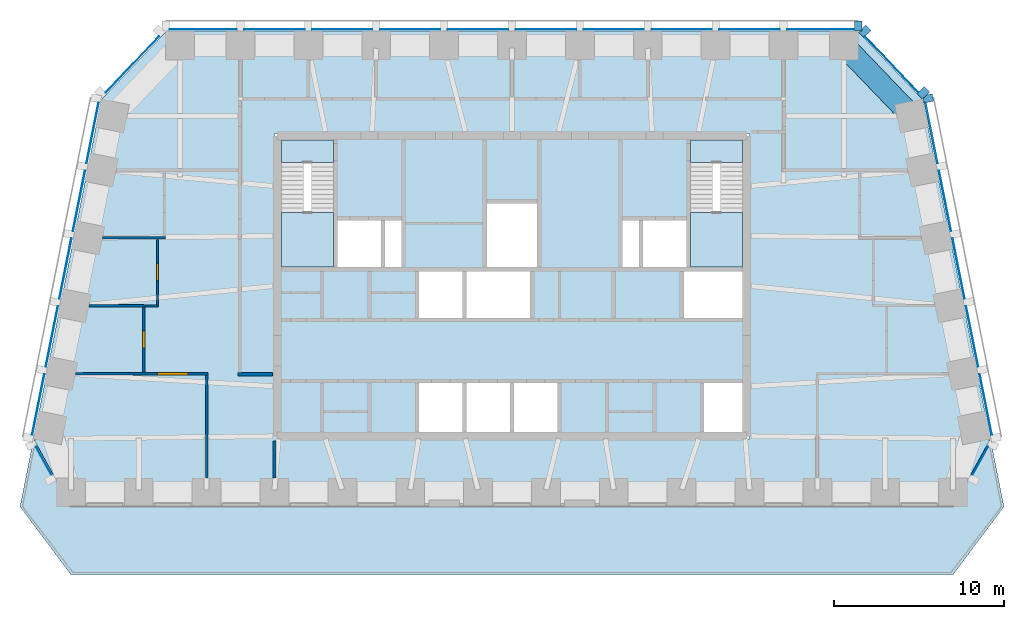
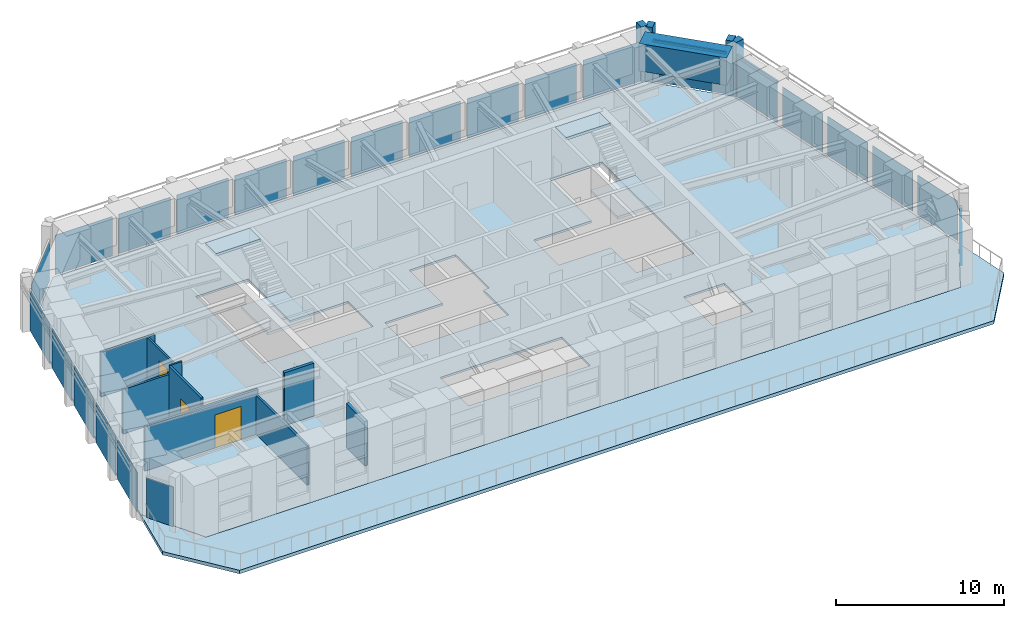
# One storey, part 3 of 9: 24 plates, 9 walls, 6 members, 6 slabs, 3 doors, 1 beam, 3 openings, 9 elements without a shape of their own.
"""IFC4 building model written with IfcOpenShell, lengths in metres."""

from ifc_helpers import new_model, si_unit, direction, frame, frame_2d, origin, origin_2d, place, context, subcontext, project, spatial, polyline, rectangle, outline, extrude, material, layer, layer_set, material_profile, profile_set, type_object, element, fill, aggregate, save


model = new_model("IFC4")

# Units and contexts
model_context = context("Model", 3, precision=1e-05, world=origin(), true_north=direction((0.0, 1.0)))
body_context = subcontext(model_context, "Body", "Model", "MODEL_VIEW")
ifc_project = project(units=[si_unit("LENGTHUNIT", "METRE"), si_unit("AREAUNIT", "SQUARE_METRE"), si_unit("VOLUMEUNIT", "CUBIC_METRE"), si_unit("PLANEANGLEUNIT", "RADIAN"), si_unit("MASSUNIT", "GRAM", prefix="KILO")], contexts=[model_context])

# Site, building, storey
site_placement = place(None, origin())
site = spatial("IfcSite", under=ifc_project, at=site_placement, CompositionType="ELEMENT")
building_placement = place(site_placement, origin())
building = spatial("IfcBuilding", under=site, at=building_placement, Name="Isbrekke Arena Tower", CompositionType="ELEMENT")
storey_placement = place(building_placement, frame((0.0, 0.0, 308.0)))
storey = spatial("IfcBuildingStorey", under=building, at=storey_placement, Name="L72", CompositionType="ELEMENT", Elevation=308.0)

# Curtain wall, member
ifc_material_1 = material(Name="Glazed aluminium curtain wall", Category="aluminium")
curtain_wall_type = type_object("IfcCurtainWallType", Name="CWT TOWER CURTAIN WALL TOP ZONE", PredefinedType="USERDEFINED", material=ifc_material_1)
curtain_wall_1_placement = place(storey_placement, origin())
curtain_wall_1 = element("IfcCurtainWall", 1, at=curtain_wall_1_placement, inside=storey, type_object=curtain_wall_type, Name="CWT curtain wall L72-E", ObjectType="TOWER CURTAIN WALL TOP ZONE", PredefinedType="USERDEFINED")
ifc_material_2 = material(Name="Copper-clad aluminium mullion", Category="aluminium")
ifc_material_profile_1 = material_profile(ifc_material_2, rectangle(XDim=0.449951171875, YDim=0.60009765625, at=origin_2d()), Name="PIER 450X600")
ifc_profile_set_1 = profile_set([ifc_material_profile_1], Name="Copper-clad aluminium mullion")
member_type_1 = type_object("IfcMemberType", Name="CWT-M PIER MULLION 450 x 600", PredefinedType="MULLION", material=ifc_profile_set_1)
member_1_placement = place(storey_placement, frame((24.518798828125, 26.063720703125, 0.0), z_axis=(0.0, 0.0, 1.0), x_axis=(-0.196116135138, 0.980580675691, 0.0)))
member_1 = element("IfcMember", 2, at=member_1_placement, type_object=member_type_1, Name="CWT-M mullion 6", PredefinedType="MULLION", context=body_context, shape_type="SweptSolid", body=[
    extrude(rectangle(XDim=0.449951171875, YDim=0.60009765625, at=origin_2d()), origin(), (0.0, 0.0, 1.0), 4.0),
])

# Curtain wall, members
curtain_wall_2_placement = place(storey_placement, origin())
curtain_wall_2 = element("IfcCurtainWall", 3, at=curtain_wall_2_placement, inside=storey, type_object=curtain_wall_type, Name="CWT curtain wall L72-EN", ObjectType="TOWER CURTAIN WALL TOP ZONE", PredefinedType="USERDEFINED")
member_2_placement = place(storey_placement, frame((24.244384765625, 26.388671875, 0.0), z_axis=(0.0, 0.0, 1.0), x_axis=(-0.68874946192, 0.72499943359, 0.0)))
member_2 = element("IfcMember", 4, at=member_2_placement, type_object=member_type_1, Name="CWT-M mullion 1", PredefinedType="MULLION", context=body_context, shape_type="SweptSolid", body=[
    extrude(rectangle(XDim=0.449951171875, YDim=0.60009765625, at=origin_2d()), origin(), (0.0, 0.0, 1.0), 4.0),
])
member_3_placement = place(storey_placement, frame((20.795166015625, 30.019775390625, 0.0), z_axis=(0.0, 0.0, 1.0), x_axis=(-0.68874946192, 0.72499943359, 0.0)))
member_3 = element("IfcMember", 5, at=member_3_placement, type_object=member_type_1, Name="CWT-M mullion 2", PredefinedType="MULLION", context=body_context, shape_type="SweptSolid", body=[
    extrude(rectangle(XDim=0.449951171875, YDim=0.60009765625, at=origin_2d()), origin(), (0.0, 0.0, 1.0), 4.0),
])

# Curtain wall, member
curtain_wall_3_placement = place(storey_placement, origin())
curtain_wall_3 = element("IfcCurtainWall", 6, at=curtain_wall_3_placement, inside=storey, type_object=curtain_wall_type, Name="CWT curtain wall L72-N", ObjectType="TOWER CURTAIN WALL TOP ZONE", PredefinedType="USERDEFINED")
member_4_placement = place(storey_placement, frame((20.39990234375, 30.324951171875, 0.0), z_axis=(0.0, 0.0, 1.0), x_axis=(-1.0, 0.0, 0.0)))
member_4 = element("IfcMember", 7, at=member_4_placement, type_object=member_type_1, Name="CWT-M mullion 1", PredefinedType="MULLION", context=body_context, shape_type="SweptSolid", body=[
    extrude(rectangle(XDim=0.449951171875, YDim=0.60009765625, at=origin_2d()), origin(), (0.0, 0.0, 1.0), 4.0),
])

# Member
ifc_material_3 = material(Name="Aluminium transom", Category="aluminium")
ifc_material_profile_2 = material_profile(ifc_material_3, rectangle(XDim=0.1201171875, YDim=0.199951171875, at=origin_2d()), Name="TRANSOM 120X200")
ifc_profile_set_2 = profile_set([ifc_material_profile_2], Name="Aluminium transom")
member_type_2 = type_object("IfcMemberType", Name="CWT-T TRANSOM 120 x 200", PredefinedType="USERDEFINED", material=ifc_profile_set_2)
member_5_placement = place(storey_placement, frame((25.078369140625, 22.2451171875, 3.0), z_axis=(-0.196090262229, 0.980585849918, 0.0), x_axis=(-0.980585849918, -0.196090262229, 0.0)))
member_5 = element("IfcMember", 8, at=member_5_placement, type_object=member_type_2, Name="CWT-T transom 5", ObjectType="TRANSOM", PredefinedType="USERDEFINED", context=body_context, shape_type="SweptSolid", body=[
    extrude(rectangle(XDim=0.1201171875, YDim=0.199951171875, at=origin_2d()), origin(), (0.0, 0.0, 1.0), 3.62939453125),
])

member_6_placement = place(storey_placement, frame((23.944580078125, 26.4140625, 3.0), z_axis=(-0.688771983213, 0.724978037696, 0.0), x_axis=(-0.724978037696, -0.688771983213, 0.0)))
member_6 = element("IfcMember", 9, at=member_6_placement, type_object=member_type_2, Name="CWT-T transom 1", ObjectType="TRANSOM", PredefinedType="USERDEFINED", context=body_context, shape_type="SweptSolid", body=[
    extrude(rectangle(XDim=0.1201171875, YDim=0.199951171875, at=origin_2d()), origin(), (0.0, 0.0, 1.0), 4.558349609375),
])

# Beam
ifc_material_4 = material(Name="Concrete B55 (C55/67)", Category="concrete")
ifc_material_profile_3 = material_profile(ifc_material_4, rectangle(XDim=1.300048828125, YDim=2.0, at=origin_2d()), Name="RC 1300x2000")
ifc_profile_set_3 = profile_set([ifc_material_profile_3], Name="Concrete B55 (C55/67)")
beam_type = type_object("IfcBeamType", Name="SB4 RC 1300 x 2000", PredefinedType="SPANDREL", material=ifc_profile_set_3)
beam_placement = place(storey_placement, frame((23.448974609375, 25.137451171875, 3.0), z_axis=(-0.692339547635, 0.721571861134, 0.0), x_axis=(-0.721571861134, -0.692339547635, 0.0)))
element("IfcBeam", 10, at=beam_placement, inside=storey, type_object=beam_type, Name="SB4 spandrel E06-N01 L72", PredefinedType="SPANDREL", context=body_context, shape_type="SweptSolid", body=[
    extrude(rectangle(XDim=1.300048828125, YDim=2.0, at=origin_2d()), origin(), (0.0, 0.0, 1.0), 5.4453125),
])

# Curtain wall, plate
curtain_wall_4_placement = place(storey_placement, origin())
curtain_wall_4 = element("IfcCurtainWall", 11, at=curtain_wall_4_placement, inside=storey, type_object=curtain_wall_type, Name="CWT curtain wall L72-SE", ObjectType="TOWER CURTAIN WALL TOP ZONE", PredefinedType="USERDEFINED")
ifc_material_5 = material(Name="Triple-glazed clear glass unit", Category="glass")
ifc_layer_1 = layer(ifc_material_5, 0.031982421875)
ifc_layer_set_1 = layer_set([ifc_layer_1], Name="CWT-P VISION PANEL")
plate_type = type_object("IfcPlateType", Name="CWT-P VISION PANEL", PredefinedType="CURTAIN_PANEL", material=ifc_layer_set_1)
plate_1_placement = place(storey_placement, frame((27.604248046875, 4.70947265625, 0.02001953125), z_axis=(0.0, 0.0, 1.0), x_axis=(0.481918749773, 0.876215908676, 0.0)))
plate_1 = element("IfcPlate", 12, at=plate_1_placement, type_object=plate_type, Name="CWT-P panel 1", PredefinedType="CURTAIN_PANEL", context=body_context, shape_type="SweptSolid", body=[
    extrude(rectangle(XDim=1.876220703125, YDim=0.031982421875, at=origin_2d()), origin(), (0.0, 0.0, 1.0), 2.8798828125),
])
aggregate(curtain_wall_4, [plate_1])

# Plate
plate_2_placement = place(storey_placement, frame((27.922607421875, 8.0244140625, 0.02001953125), z_axis=(0.0, 0.0, 1.0), x_axis=(-0.196116135138, 0.980580675691, 0.0)))
plate_2 = element("IfcPlate", 13, at=plate_2_placement, type_object=plate_type, Name="CWT-P panel 1", PredefinedType="CURTAIN_PANEL", context=body_context, shape_type="SweptSolid", body=[
    extrude(rectangle(XDim=3.629150390625, YDim=0.031982421875, at=origin_2d()), origin(), (0.0, 0.0, 1.0), 2.8798828125),
])

plate_3_placement = place(storey_placement, frame((27.12255859375, 12.0244140625, 0.02001953125), z_axis=(0.0, 0.0, 1.0), x_axis=(-0.196116135138, 0.980580675691, 0.0)))
plate_3 = element("IfcPlate", 14, at=plate_3_placement, type_object=plate_type, Name="CWT-P panel 2", PredefinedType="CURTAIN_PANEL", context=body_context, shape_type="SweptSolid", body=[
    extrude(rectangle(XDim=3.629150390625, YDim=0.031982421875, at=origin_2d()), origin(), (0.0, 0.0, 1.0), 2.8798828125),
])

plate_4_placement = place(storey_placement, frame((26.322509765625, 16.0244140625, 0.02001953125), z_axis=(0.0, 0.0, 1.0), x_axis=(-0.196116135138, 0.980580675691, 0.0)))
plate_4 = element("IfcPlate", 15, at=plate_4_placement, type_object=plate_type, Name="CWT-P panel 3", PredefinedType="CURTAIN_PANEL", context=body_context, shape_type="SweptSolid", body=[
    extrude(rectangle(XDim=3.629150390625, YDim=0.031982421875, at=origin_2d()), origin(), (0.0, 0.0, 1.0), 2.8798828125),
])

plate_5_placement = place(storey_placement, frame((25.5224609375, 20.0244140625, 0.02001953125), z_axis=(0.0, 0.0, 1.0), x_axis=(-0.196116135138, 0.980580675691, 0.0)))
plate_5 = element("IfcPlate", 16, at=plate_5_placement, type_object=plate_type, Name="CWT-P panel 4", PredefinedType="CURTAIN_PANEL", context=body_context, shape_type="SweptSolid", body=[
    extrude(rectangle(XDim=3.629150390625, YDim=0.031982421875, at=origin_2d()), origin(), (0.0, 0.0, 1.0), 2.8798828125),
])

plate_6_placement = place(storey_placement, frame((24.72265625, 24.0244140625, 0.02001953125), z_axis=(0.0, 0.0, 1.0), x_axis=(-0.196116135138, 0.980580675691, 0.0)))
plate_6 = element("IfcPlate", 17, at=plate_6_placement, type_object=plate_type, Name="CWT-P panel 5", PredefinedType="CURTAIN_PANEL", context=body_context, shape_type="SweptSolid", body=[
    extrude(rectangle(XDim=3.629150390625, YDim=0.031982421875, at=origin_2d()), origin(), (0.0, 0.0, 1.0), 2.8798828125),
])

aggregate(curtain_wall_1, [member_1, plate_2, plate_3, plate_4, plate_5, member_5, plate_6])

plate_7_placement = place(storey_placement, frame((22.374755859375, 28.06640625, 0.02001953125), z_axis=(0.0, 0.0, 1.0), x_axis=(-0.68874946192, 0.72499943359, 0.0)))
plate_7 = element("IfcPlate", 18, at=plate_7_placement, type_object=plate_type, Name="CWT-P panel 1", PredefinedType="CURTAIN_PANEL", context=body_context, shape_type="SweptSolid", body=[
    extrude(rectangle(XDim=4.558349609375, YDim=0.031982421875, at=origin_2d()), origin(), (0.0, 0.0, 1.0), 2.8798828125),
])

aggregate(curtain_wall_2, [member_2, member_3, member_6, plate_7])

plate_8_placement = place(storey_placement, frame((18.199951171875, 30.125, 0.02001953125), z_axis=(0.0, 0.0, 1.0), x_axis=(-1.0, 0.0, 0.0)))
plate_8 = element("IfcPlate", 19, at=plate_8_placement, type_object=plate_type, Name="CWT-P panel 1", PredefinedType="CURTAIN_PANEL", context=body_context, shape_type="SweptSolid", body=[
    extrude(rectangle(XDim=3.949951171875, YDim=0.031982421875, at=origin_2d()), origin(), (0.0, 0.0, 1.0), 2.8798828125),
])

plate_9_placement = place(storey_placement, frame((14.0, 30.125, 0.02001953125), z_axis=(0.0, 0.0, 1.0), x_axis=(-1.0, 0.0, 0.0)))
plate_9 = element("IfcPlate", 20, at=plate_9_placement, type_object=plate_type, Name="CWT-P panel 2", PredefinedType="CURTAIN_PANEL", context=body_context, shape_type="SweptSolid", body=[
    extrude(rectangle(XDim=3.550048828125, YDim=0.031982421875, at=origin_2d()), origin(), (0.0, 0.0, 1.0), 2.8798828125),
])

plate_10_placement = place(storey_placement, frame((10.0, 30.125, 0.02001953125), z_axis=(0.0, 0.0, 1.0), x_axis=(-1.0, 0.0, 0.0)))
plate_10 = element("IfcPlate", 21, at=plate_10_placement, type_object=plate_type, Name="CWT-P panel 3", PredefinedType="CURTAIN_PANEL", context=body_context, shape_type="SweptSolid", body=[
    extrude(rectangle(XDim=3.550048828125, YDim=0.031982421875, at=origin_2d()), origin(), (0.0, 0.0, 1.0), 2.8798828125),
])

plate_11_placement = place(storey_placement, frame((6.0, 30.125, 0.02001953125), z_axis=(0.0, 0.0, 1.0), x_axis=(-1.0, 0.0, 0.0)))
plate_11 = element("IfcPlate", 22, at=plate_11_placement, type_object=plate_type, Name="CWT-P panel 4", PredefinedType="CURTAIN_PANEL", context=body_context, shape_type="SweptSolid", body=[
    extrude(rectangle(XDim=3.550048828125, YDim=0.031982421875, at=origin_2d()), origin(), (0.0, 0.0, 1.0), 2.8798828125),
])

plate_12_placement = place(storey_placement, frame((2.0, 30.125, 0.02001953125), z_axis=(0.0, 0.0, 1.0), x_axis=(-1.0, 0.0, 0.0)))
plate_12 = element("IfcPlate", 23, at=plate_12_placement, type_object=plate_type, Name="CWT-P panel 5", PredefinedType="CURTAIN_PANEL", context=body_context, shape_type="SweptSolid", body=[
    extrude(rectangle(XDim=3.550048828125, YDim=0.031982421875, at=origin_2d()), origin(), (0.0, 0.0, 1.0), 2.8798828125),
])

plate_13_placement = place(storey_placement, frame((-2.0, 30.125, 0.02001953125), z_axis=(0.0, 0.0, 1.0), x_axis=(-1.0, 0.0, 0.0)))
plate_13 = element("IfcPlate", 24, at=plate_13_placement, type_object=plate_type, Name="CWT-P panel 6", PredefinedType="CURTAIN_PANEL", context=body_context, shape_type="SweptSolid", body=[
    extrude(rectangle(XDim=3.550048828125, YDim=0.031982421875, at=origin_2d()), origin(), (0.0, 0.0, 1.0), 2.8798828125),
])

plate_14_placement = place(storey_placement, frame((-6.0, 30.125, 0.02001953125), z_axis=(0.0, 0.0, 1.0), x_axis=(-1.0, 0.0, 0.0)))
plate_14 = element("IfcPlate", 25, at=plate_14_placement, type_object=plate_type, Name="CWT-P panel 7", PredefinedType="CURTAIN_PANEL", context=body_context, shape_type="SweptSolid", body=[
    extrude(rectangle(XDim=3.550048828125, YDim=0.031982421875, at=origin_2d()), origin(), (0.0, 0.0, 1.0), 2.8798828125),
])

plate_15_placement = place(storey_placement, frame((-10.0, 30.125, 0.02001953125), z_axis=(0.0, 0.0, 1.0), x_axis=(-1.0, 0.0, 0.0)))
plate_15 = element("IfcPlate", 26, at=plate_15_placement, type_object=plate_type, Name="CWT-P panel 8", PredefinedType="CURTAIN_PANEL", context=body_context, shape_type="SweptSolid", body=[
    extrude(rectangle(XDim=3.550048828125, YDim=0.031982421875, at=origin_2d()), origin(), (0.0, 0.0, 1.0), 2.8798828125),
])

plate_16_placement = place(storey_placement, frame((-14.0, 30.125, 0.02001953125), z_axis=(0.0, 0.0, 1.0), x_axis=(-1.0, 0.0, 0.0)))
plate_16 = element("IfcPlate", 27, at=plate_16_placement, type_object=plate_type, Name="CWT-P panel 9", PredefinedType="CURTAIN_PANEL", context=body_context, shape_type="SweptSolid", body=[
    extrude(rectangle(XDim=3.550048828125, YDim=0.031982421875, at=origin_2d()), origin(), (0.0, 0.0, 1.0), 2.8798828125),
])

plate_17_placement = place(storey_placement, frame((-18.199951171875, 30.125, 0.02001953125), z_axis=(0.0, 0.0, 1.0), x_axis=(-1.0, 0.0, 0.0)))
plate_17 = element("IfcPlate", 28, at=plate_17_placement, type_object=plate_type, Name="CWT-P panel 10", PredefinedType="CURTAIN_PANEL", context=body_context, shape_type="SweptSolid", body=[
    extrude(rectangle(XDim=3.949951171875, YDim=0.031982421875, at=origin_2d()), origin(), (0.0, 0.0, 1.0), 2.8798828125),
])

aggregate(curtain_wall_3, [member_4, plate_8, plate_9, plate_10, plate_11, plate_12, plate_13, plate_14, plate_15, plate_16, plate_17])

# Curtain wall, plate
curtain_wall_5_placement = place(storey_placement, origin())
curtain_wall_5 = element("IfcCurtainWall", 29, at=curtain_wall_5_placement, inside=storey, type_object=curtain_wall_type, Name="CWT curtain wall L72-NW", ObjectType="TOWER CURTAIN WALL TOP ZONE", PredefinedType="USERDEFINED")
plate_18_placement = place(storey_placement, frame((-22.37451171875, 28.066650390625, 0.02001953125), z_axis=(0.0, 0.0, 1.0), x_axis=(-0.68874946192, -0.72499943359, 0.0)))
plate_18 = element("IfcPlate", 30, at=plate_18_placement, type_object=plate_type, Name="CWT-P panel 1", PredefinedType="CURTAIN_PANEL", context=body_context, shape_type="SweptSolid", body=[
    extrude(rectangle(XDim=4.557373046875, YDim=0.031982421875, at=origin_2d()), origin(), (0.0, 0.0, 1.0), 2.8798828125),
])
aggregate(curtain_wall_5, [plate_18])

# Curtain wall, plates
curtain_wall_6_placement = place(storey_placement, origin())
curtain_wall_6 = element("IfcCurtainWall", 31, at=curtain_wall_6_placement, inside=storey, type_object=curtain_wall_type, Name="CWT curtain wall L72-W", ObjectType="TOWER CURTAIN WALL TOP ZONE", PredefinedType="USERDEFINED")
plate_19_placement = place(storey_placement, frame((-24.72265625, 24.0244140625, 0.02001953125), z_axis=(0.0, 0.0, 1.0), x_axis=(-0.196116135138, -0.980580675691, 0.0)))
plate_19 = element("IfcPlate", 32, at=plate_19_placement, type_object=plate_type, Name="CWT-P panel 1", PredefinedType="CURTAIN_PANEL", context=body_context, shape_type="SweptSolid", body=[
    extrude(rectangle(XDim=3.629150390625, YDim=0.031982421875, at=origin_2d()), origin(), (0.0, 0.0, 1.0), 2.8798828125),
])
plate_20_placement = place(storey_placement, frame((-25.5224609375, 20.0244140625, 0.02001953125), z_axis=(0.0, 0.0, 1.0), x_axis=(-0.196116135138, -0.980580675691, 0.0)))
plate_20 = element("IfcPlate", 33, at=plate_20_placement, type_object=plate_type, Name="CWT-P panel 2", PredefinedType="CURTAIN_PANEL", context=body_context, shape_type="SweptSolid", body=[
    extrude(rectangle(XDim=3.629150390625, YDim=0.031982421875, at=origin_2d()), origin(), (0.0, 0.0, 1.0), 2.8798828125),
])
plate_21_placement = place(storey_placement, frame((-26.322509765625, 16.0244140625, 0.02001953125), z_axis=(0.0, 0.0, 1.0), x_axis=(-0.196116135138, -0.980580675691, 0.0)))
plate_21 = element("IfcPlate", 34, at=plate_21_placement, type_object=plate_type, Name="CWT-P panel 3", PredefinedType="CURTAIN_PANEL", context=body_context, shape_type="SweptSolid", body=[
    extrude(rectangle(XDim=3.629150390625, YDim=0.031982421875, at=origin_2d()), origin(), (0.0, 0.0, 1.0), 2.8798828125),
])
plate_22_placement = place(storey_placement, frame((-27.12255859375, 12.0244140625, 0.02001953125), z_axis=(0.0, 0.0, 1.0), x_axis=(-0.196116135138, -0.980580675691, 0.0)))
plate_22 = element("IfcPlate", 35, at=plate_22_placement, type_object=plate_type, Name="CWT-P panel 4", PredefinedType="CURTAIN_PANEL", context=body_context, shape_type="SweptSolid", body=[
    extrude(rectangle(XDim=3.629150390625, YDim=0.031982421875, at=origin_2d()), origin(), (0.0, 0.0, 1.0), 2.8798828125),
])
plate_23_placement = place(storey_placement, frame((-27.922607421875, 8.0244140625, 0.02001953125), z_axis=(0.0, 0.0, 1.0), x_axis=(-0.196116135138, -0.980580675691, 0.0)))
plate_23 = element("IfcPlate", 36, at=plate_23_placement, type_object=plate_type, Name="CWT-P panel 5", PredefinedType="CURTAIN_PANEL", context=body_context, shape_type="SweptSolid", body=[
    extrude(rectangle(XDim=3.629150390625, YDim=0.031982421875, at=origin_2d()), origin(), (0.0, 0.0, 1.0), 2.8798828125),
])
aggregate(curtain_wall_6, [plate_19, plate_20, plate_21, plate_22, plate_23])

# Curtain wall, plate
curtain_wall_7_placement = place(storey_placement, origin())
curtain_wall_7 = element("IfcCurtainWall", 37, at=curtain_wall_7_placement, inside=storey, type_object=curtain_wall_type, Name="CWT curtain wall L72-WS", ObjectType="TOWER CURTAIN WALL TOP ZONE", PredefinedType="USERDEFINED")
plate_24_placement = place(storey_placement, frame((-27.60400390625, 4.708984375, 0.02001953125), z_axis=(0.0, 0.0, 1.0), x_axis=(0.481918749773, -0.876215908676, 0.0)))
plate_24 = element("IfcPlate", 38, at=plate_24_placement, type_object=plate_type, Name="CWT-P panel 1", PredefinedType="CURTAIN_PANEL", context=body_context, shape_type="SweptSolid", body=[
    extrude(rectangle(XDim=1.878173828125, YDim=0.031982421875, at=origin_2d()), origin(), (0.0, 0.0, 1.0), 2.8798828125),
])
aggregate(curtain_wall_7, [plate_24])

# Slab
ifc_material_6 = material(Name="Concrete B35 (C35/45)", Category="concrete")
ifc_layer_2 = layer(ifc_material_6, 0.14990234375)
ifc_layer_set_2 = layer_set([ifc_layer_2], Name="FS1 COMPOSITE FLOOR 150")
slab_type_1 = type_object("IfcSlabType", Name="FS1 COMPOSITE FLOOR 150", PredefinedType="FLOOR", material=ifc_layer_set_2)
slab_1_placement = place(storey_placement, frame((0.0, 0.0, -0.14990234375)))
element("IfcSlab", 39, at=slab_1_placement, inside=storey, type_object=slab_type_1, Name="FS1 floor slab L72", PredefinedType="FLOOR", context=body_context, shape_type="SweptSolid", body=[
    extrude(outline(polyline([(-26.0, 2.0), (26.0, 2.0), (28.199951171875, 6.0), (24.199951171875, 26.0), (20.39990234375, 30.0), (-20.39990234375, 30.0), (-24.199951171875, 26.0), (-28.199951171875, 6.0), (-26.0, 2.0)]), holes=[polyline([(2.800048828125, 9.39990234375), (2.800048828125, 6.0), (-5.60009765625, 6.0), (-5.60009765625, 9.39990234375), (2.800048828125, 9.39990234375)]), polyline([(11.199951171875, 6.0), (11.199951171875, 9.39990234375), (14.0, 9.39990234375), (14.0, 6.0), (11.199951171875, 6.0)]), polyline([(-5.60009765625, 13.0), (-5.60009765625, 16.0), (-1.60009765625, 16.0), (-1.60009765625, 20.0), (1.60009765625, 20.0), (1.60009765625, 16.0), (1.199951171875, 16.0), (1.199951171875, 13.0), (-5.60009765625, 13.0)]), polyline([(14.0, 13.0), (10.0, 13.0), (10.0, 16.0), (6.39990234375, 16.0), (6.39990234375, 19.0), (10.39990234375, 19.0), (10.39990234375, 24.0), (14.0, 24.0), (14.0, 13.0)]), polyline([(-6.39990234375, 19.0), (-6.39990234375, 16.0), (-14.0, 16.0), (-14.0, 24.0), (-10.39990234375, 24.0), (-10.39990234375, 19.0), (-6.39990234375, 19.0)])]), origin(), (0.0, 0.0, 1.0), 0.14990234375),
])

# Stair, slabs
ifc_material_7 = material(Name="Concrete B45 (C45/55) precast", Category="concrete")
stair_type = type_object("IfcStairType", Name="ST40 STAIR 1300 WIDE, 24 RISERS 167", PredefinedType="HALF_TURN_STAIR", material=ifc_material_7)
stair_1_placement = place(storey_placement, origin())
stair_1 = element("IfcStair", 40, at=stair_1_placement, inside=storey, type_object=stair_type, Name="ST1 stair L72", PredefinedType="HALF_TURN_STAIR")
ifc_material_8 = material(Name="Concrete B35 (C35/45)", Category="concrete")
ifc_layer_3 = layer(ifc_material_8, 0.199951171875)
ifc_layer_set_3 = layer_set([ifc_layer_3], Name="SL1 STAIR LANDING 200")
slab_type_2 = type_object("IfcSlabType", Name="SL1 STAIR LANDING 200", PredefinedType="LANDING", material=ifc_layer_set_3)
slab_2_placement = place(storey_placement, frame((0.0, 0.0, 1.800048828125)))
slab_2 = element("IfcSlab", 41, at=slab_2_placement, type_object=slab_type_2, Name="ST1 landing 1", PredefinedType="LANDING", context=body_context, shape_type="SweptSolid", body=[
    extrude(outline(polyline([(-13.60009765625, 16.125), (-10.52490234375, 16.125), (-10.52490234375, 19.330078125), (-13.60009765625, 19.330078125), (-13.60009765625, 16.125)])), origin(), (0.0, 0.0, 1.0), 0.199951171875),
])
slab_3_placement = place(storey_placement, frame((0.0, 0.0, 3.800048828125)))
slab_3 = element("IfcSlab", 42, at=slab_3_placement, type_object=slab_type_2, Name="ST1 landing 2", PredefinedType="LANDING", context=body_context, shape_type="SweptSolid", body=[
    extrude(outline(polyline([(-13.60009765625, 22.300048828125), (-10.52490234375, 22.300048828125), (-10.52490234375, 23.60009765625), (-13.60009765625, 23.60009765625), (-13.60009765625, 22.300048828125)])), origin(), (0.0, 0.0, 1.0), 0.199951171875),
])
aggregate(stair_1, [slab_2, slab_3])

stair_2_placement = place(storey_placement, origin())
stair_2 = element("IfcStair", 43, at=stair_2_placement, inside=storey, type_object=stair_type, Name="ST2 stair L72", PredefinedType="HALF_TURN_STAIR")
slab_4_placement = place(storey_placement, frame((0.0, 0.0, 1.800048828125)))
slab_4 = element("IfcSlab", 44, at=slab_4_placement, type_object=slab_type_2, Name="ST2 landing 1", PredefinedType="LANDING", context=body_context, shape_type="SweptSolid", body=[
    extrude(outline(polyline([(10.52490234375, 16.125), (13.60009765625, 16.125), (13.60009765625, 19.330078125), (10.52490234375, 19.330078125), (10.52490234375, 16.125)])), origin(), (0.0, 0.0, 1.0), 0.199951171875),
])
slab_5_placement = place(storey_placement, frame((0.0, 0.0, 3.800048828125)))
slab_5 = element("IfcSlab", 45, at=slab_5_placement, type_object=slab_type_2, Name="ST2 landing 2", PredefinedType="LANDING", context=body_context, shape_type="SweptSolid", body=[
    extrude(outline(polyline([(10.52490234375, 22.300048828125), (13.60009765625, 22.300048828125), (13.60009765625, 23.60009765625), (10.52490234375, 23.60009765625), (10.52490234375, 22.300048828125)])), origin(), (0.0, 0.0, 1.0), 0.199951171875),
])
aggregate(stair_2, [slab_4, slab_5])

# Slab
ifc_material_9 = material(Name="Concrete B35 (C35/45)", Category="concrete")
ifc_layer_4 = layer(ifc_material_9, 0.25)
ifc_layer_set_4 = layer_set([ifc_layer_4], Name="TS1 TERRACE SLAB 250")
slab_type_3 = type_object("IfcSlabType", Name="TS1 TERRACE SLAB 250", PredefinedType="FLOOR", material=ifc_layer_set_4)
slab_6_placement = place(storey_placement, frame((0.0, 0.0, -0.25)))
element("IfcSlab", 46, at=slab_6_placement, inside=storey, type_object=slab_type_3, Name="TS1 terrace slab L72", PredefinedType="FLOOR", context=body_context, shape_type="SweptSolid", body=[
    extrude(outline(polyline([(-26.0, -2.0), (26.0, -2.0), (29.0, 2.0), (28.199951171875, 6.0), (26.0, 2.0), (-26.0, 2.0), (-28.199951171875, 6.0), (-29.0, 2.0), (-26.0, -2.0)])), origin(), (0.0, 0.0, 1.0), 0.25),
])

# Wall, opening, door
ifc_material_10 = material(Name="Gypsum board partition on steel studs", Category="steel")
ifc_layer_5 = layer(ifc_material_10, 0.14990234375)
ifc_layer_set_5 = layer_set([ifc_layer_5], Name="IW1 PARTITION 150")
wall_type_1 = type_object("IfcWallType", Name="IW1 PARTITION 150", PredefinedType="PARTITIONING", material=ifc_layer_set_5)
wall_1_placement = place(storey_placement, frame((-25.723876953125, 9.840087890625, 0.0), z_axis=(0.0, 0.0, 1.0), x_axis=(1.0, 0.0, 0.0)))
wall_1 = element("IfcWall", 47, at=wall_1_placement, inside=storey, type_object=wall_type_1, Name="IW1 partition 150 L72", PredefinedType="PARTITIONING", context=body_context, shape_type="SweptSolid", body=[
    extrude(rectangle(XDim=7.798828125, YDim=0.14990234375, at=frame_2d((3.8994140625, 0.0))), origin(), (0.0, 0.0, 1.0), 3.22998046875),
])
opening_1_placement = place(wall_1_placement, frame((4.82373046875, 0.0, 0.0)))
opening_1 = element("IfcOpeningElement", 48, at=opening_1_placement, cuts=wall_1, Name="Opening D13", PredefinedType="OPENING", context=body_context, shape_type="SweptSolid", body=[
    extrude(rectangle(XDim=1.800048828125, YDim=2.39990234375, at=frame_2d((0.89990234375, 1.199951171875))), frame((0.0, 0.08984375, 0.0), z_axis=(0.0, -1.0, 0.0), x_axis=(1.0, 0.0, 0.0)), (0.0, 0.0, 1.0), 0.1796875),
])
ifc_material_11 = material(Name="Timber door pair", Category="wood")
door_type_1 = type_object("IfcDoorType", Name="D13 DOUBLE ROOM DOOR 1800 x 2400", OperationType="DOUBLE_DOOR_SINGLE_SWING", PredefinedType="DOOR", material=ifc_material_11)
door_1_placement = place(opening_1_placement, origin())
door_1 = element("IfcDoor", 49, at=door_1_placement, inside=storey, type_object=door_type_1, Name="D13 club dining room door L72", OperationType="DOUBLE_DOOR_SINGLE_SWING", OverallHeight=2.39990234375, OverallWidth=1.800048828125, PredefinedType="DOOR", context=body_context, shape_type="SweptSolid", body=[
    extrude(rectangle(XDim=1.800048828125, YDim=2.39990234375, at=frame_2d((0.89990234375, 1.199951171875))), frame((0.0, 0.07470703125, 0.0), z_axis=(0.0, -1.0, 0.0), x_axis=(1.0, 0.0, 0.0)), (0.0, 0.0, 1.0), 0.1494140625),
])
fill(opening_1, door_1)

# Walls
wall_2_placement = place(storey_placement, frame((-24.923828125, 13.840087890625, 0.0), z_axis=(0.0, 0.0, 1.0), x_axis=(1.0, 0.0, 0.0)))
element("IfcWall", 50, at=wall_2_placement, inside=storey, type_object=wall_type_1, Name="IW1 partition 150 L72", PredefinedType="PARTITIONING", context=body_context, shape_type="SweptSolid", body=[
    extrude(rectangle(XDim=3.223876953125, YDim=0.14990234375, at=frame_2d((1.61181640625, 0.0))), origin(), (0.0, 0.0, 1.0), 3.22998046875),
])
wall_3_placement = place(storey_placement, frame((-24.123779296875, 17.840087890625, 0.0), z_axis=(0.0, 0.0, 1.0), x_axis=(1.0, 0.0, 0.0)))
element("IfcWall", 51, at=wall_3_placement, inside=storey, type_object=wall_type_1, Name="IW1 partition 150 L72", PredefinedType="PARTITIONING", context=body_context, shape_type="SweptSolid", body=[
    extrude(rectangle(XDim=3.69873046875, YDim=0.14990234375, at=frame_2d((1.849365234375, 0.0))), origin(), (0.0, 0.0, 1.0), 3.22998046875),
])

# Wall, opening, door
wall_4_placement = place(storey_placement, frame((-21.699951171875, 9.9150390625, 0.0), z_axis=(0.0, 0.0, 1.0), x_axis=(0.0, 1.0, 0.0)))
wall_4 = element("IfcWall", 52, at=wall_4_placement, inside=storey, type_object=wall_type_1, Name="IW1 partition 150 L72", PredefinedType="PARTITIONING", context=body_context, shape_type="SweptSolid", body=[
    extrude(rectangle(XDim=3.849853515625, YDim=0.14990234375, at=frame_2d((1.9248046875, 0.0))), origin(), (0.0, 0.0, 1.0), 3.85009765625),
])
opening_2_placement = place(wall_4_placement, frame((1.425048828125, 0.0, 0.0)))
opening_2 = element("IfcOpeningElement", 53, at=opening_2_placement, cuts=wall_4, Name="Opening D10", PredefinedType="OPENING", context=body_context, shape_type="SweptSolid", body=[
    extrude(rectangle(XDim=1.0, YDim=2.300048828125, at=frame_2d((0.5, 1.14990234375))), frame((0.0, 0.08984375, 0.0), z_axis=(0.0, -1.0, 0.0), x_axis=(1.0, 0.0, 0.0)), (0.0, 0.0, 1.0), 0.1796875),
])
ifc_material_12 = material(Name="Timber door", Category="wood")
door_type_2 = type_object("IfcDoorType", Name="D10 OFFICE DOOR 1000 x 2300", OperationType="SINGLE_SWING_LEFT", PredefinedType="DOOR", material=ifc_material_12)
door_2_placement = place(opening_2_placement, origin())
door_2 = element("IfcDoor", 54, at=door_2_placement, inside=storey, type_object=door_type_2, Name="D10 private dining room door L72", OperationType="SINGLE_SWING_LEFT", OverallHeight=2.300048828125, OverallWidth=1.0, PredefinedType="DOOR", context=body_context, shape_type="SweptSolid", body=[
    extrude(rectangle(XDim=1.0, YDim=2.300048828125, at=frame_2d((0.5, 1.14990234375))), frame((0.0, 0.07470703125, 0.0), z_axis=(0.0, -1.0, 0.0), x_axis=(1.0, 0.0, 0.0)), (0.0, 0.0, 1.0), 0.1494140625),
])
fill(opening_2, door_2)

# Walls
wall_5_placement = place(storey_placement, frame((-18.0, 3.675048828125, 0.0), z_axis=(0.0, 0.0, 1.0), x_axis=(0.0, 1.0, 0.0)))
element("IfcWall", 55, at=wall_5_placement, inside=storey, type_object=wall_type_1, Name="IW1 partition 150 L72", PredefinedType="PARTITIONING", context=body_context, shape_type="SweptSolid", body=[
    extrude(rectangle(XDim=6.08984375, YDim=0.14990234375, at=frame_2d((3.044921875, 0.0))), origin(), (0.0, 0.0, 1.0), 2.842041015625),
])
ifc_material_13 = material(Name="Frameless glazed partition, laminated acoustic glass", Category="glass")
ifc_layer_6 = layer(ifc_material_13, 0.1201171875)
ifc_layer_set_6 = layer_set([ifc_layer_6], Name="IW2 GLAZED PARTITION 120")
wall_type_2 = type_object("IfcWallType", Name="IW2 GLAZED PARTITION 120", PredefinedType="PARTITIONING", material=ifc_layer_set_6)
wall_6_placement = place(storey_placement, frame((-21.699951171875, 13.840087890625, 0.0), z_axis=(0.0, 0.0, 1.0), x_axis=(1.0, 0.0, 0.0)))
element("IfcWall", 56, at=wall_6_placement, inside=storey, type_object=wall_type_2, Name="IW2 glazed partition 120 L72", PredefinedType="PARTITIONING", context=body_context, shape_type="SweptSolid", body=[
    extrude(rectangle(XDim=0.85986328125, YDim=0.1201171875, at=frame_2d((0.429931640625, 0.0))), origin(), (0.0, 0.0, 1.0), 3.85009765625),
])

# Wall, opening, door
wall_7_placement = place(storey_placement, frame((-20.89990234375, 13.89990234375, 0.0), z_axis=(0.0, 0.0, 1.0), x_axis=(0.0, 1.0, 0.0)))
wall_7 = element("IfcWall", 57, at=wall_7_placement, inside=storey, type_object=wall_type_2, Name="IW2 glazed partition 120 L72", PredefinedType="PARTITIONING", context=body_context, shape_type="SweptSolid", body=[
    extrude(rectangle(XDim=3.864990234375, YDim=0.1201171875, at=frame_2d((1.9326171875, 0.0))), origin(), (0.0, 0.0, 1.0), 3.22998046875),
])
opening_3_placement = place(wall_7_placement, frame((1.43994140625, 0.0, 0.0)))
opening_3 = element("IfcOpeningElement", 58, at=opening_3_placement, cuts=wall_7, Name="Opening D11", PredefinedType="OPENING", context=body_context, shape_type="SweptSolid", body=[
    extrude(rectangle(XDim=1.0, YDim=2.39990234375, at=frame_2d((0.5, 1.199951171875))), frame((0.0, 0.074951171875, 0.0), z_axis=(0.0, -1.0, 0.0), x_axis=(1.0, 0.0, 0.0)), (0.0, 0.0, 1.0), 0.14990234375),
])
ifc_material_14 = material(Name="Frameless glazed door", Category="glass")
door_type_3 = type_object("IfcDoorType", Name="D11 GLAZED MEETING ROOM DOOR 1000 x 2400", OperationType="SINGLE_SWING_RIGHT", PredefinedType="DOOR", material=ifc_material_14)
door_3_placement = place(opening_3_placement, origin())
door_3 = element("IfcDoor", 59, at=door_3_placement, inside=storey, type_object=door_type_3, Name="D11 meeting room door L72", OperationType="SINGLE_SWING_RIGHT", OverallHeight=2.39990234375, OverallWidth=1.0, PredefinedType="DOOR", context=body_context, shape_type="SweptSolid", body=[
    extrude(rectangle(XDim=1.0, YDim=2.39990234375, at=frame_2d((0.5, 1.199951171875))), frame((0.0, 0.059814453125, 0.0), z_axis=(0.0, -1.0, 0.0), x_axis=(1.0, 0.0, 0.0)), (0.0, 0.0, 1.0), 0.11962890625),
])
fill(opening_3, door_3)

# Walls
ifc_material_15 = material(Name="Gypsum board fire-cell wall on steel studs, two layers each side", Category="steel")
ifc_layer_7 = layer(ifc_material_15, 0.199951171875)
ifc_layer_set_7 = layer_set([ifc_layer_7], Name="IW3 FIRE-CELL WALL 200")
wall_type_3 = type_object("IfcWallType", Name="IW3 FIRE-CELL WALL 200", PredefinedType="PARTITIONING", material=ifc_layer_set_7)
wall_8_placement = place(storey_placement, frame((-16.14990234375, 9.800048828125, 0.0), z_axis=(0.0, 0.0, 1.0), x_axis=(1.0, 0.0, 0.0)))
element("IfcWall", 60, at=wall_8_placement, inside=storey, type_object=wall_type_3, Name="IW3 fire-cell wall 200 L72", PredefinedType="PARTITIONING", context=body_context, shape_type="SweptSolid", body=[
    extrude(rectangle(XDim=2.02001953125, YDim=0.199951171875, at=frame_2d((1.010009765625, 0.0))), origin(), (0.0, 0.0, 1.0), 3.85009765625),
])
wall_9_placement = place(storey_placement, frame((-14.0, 3.675048828125, 0.0), z_axis=(0.0, 0.0, 1.0), x_axis=(0.0, 1.0, 0.0)))
element("IfcWall", 61, at=wall_9_placement, inside=storey, type_object=wall_type_3, Name="IW3 fire-cell wall 200 L72", PredefinedType="PARTITIONING", context=body_context, shape_type="SweptSolid", body=[
    extrude(rectangle(XDim=2.195068359375, YDim=0.199951171875, at=frame_2d((1.09765625, 0.0))), origin(), (0.0, 0.0, 1.0), 3.22998046875),
])

save(model, "model.ifc")
